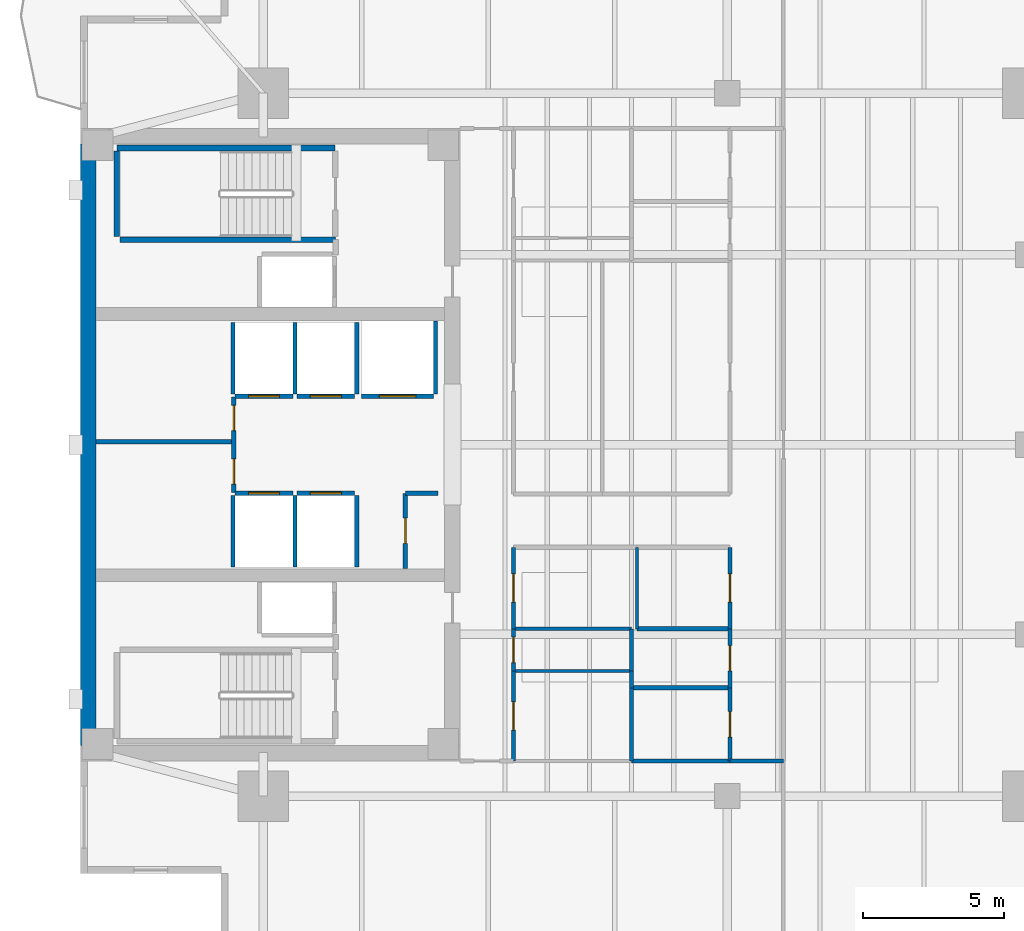
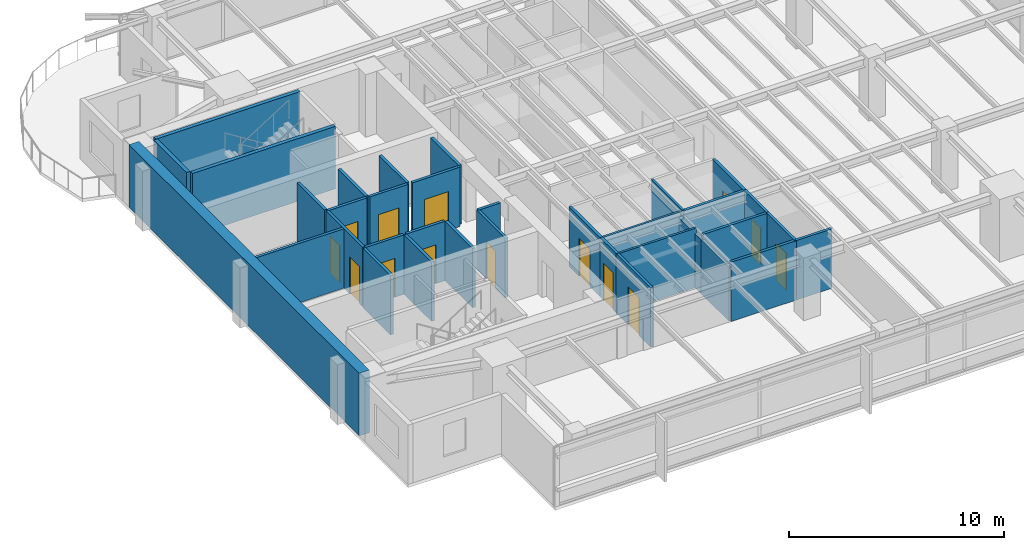
# One storey, part 8 of 14: 36 walls, 14 doors, 14 openings.
"""IFC4 building model written with IfcOpenShell, lengths in metres."""

from ifc_helpers import new_model, si_unit, direction, frame, frame_2d, origin, place, context, subcontext, project, spatial, rectangle, extrude, material, layer, layer_set, type_object, element, fill, save


model = new_model("IFC4")

# Units and contexts
model_context = context("Model", 3, precision=1e-05, world=origin(), true_north=direction((0.0, 1.0)))
body_context = subcontext(model_context, "Body", "Model", "MODEL_VIEW")
ifc_project = project(units=[si_unit("LENGTHUNIT", "METRE"), si_unit("AREAUNIT", "SQUARE_METRE"), si_unit("VOLUMEUNIT", "CUBIC_METRE"), si_unit("PLANEANGLEUNIT", "RADIAN"), si_unit("MASSUNIT", "GRAM", prefix="KILO")], contexts=[model_context])

# Site, building, storey
site_placement = place(None, origin())
site = spatial("IfcSite", under=ifc_project, at=site_placement, CompositionType="ELEMENT")
building_placement = place(site_placement, origin())
building = spatial("IfcBuilding", under=site, at=building_placement, Name="Kinhvarn Gate Tower", CompositionType="ELEMENT")
storey_placement = place(building_placement, frame((0.0, 0.0, 191.60009765625)))
storey = spatial("IfcBuildingStorey", under=building, at=storey_placement, Name="L50", CompositionType="ELEMENT", Elevation=191.60009765625)

# Walls
ifc_material_1 = material(Name="Concrete C60/75", Category="concrete")
ifc_layer_1 = layer(ifc_material_1, 0.550048828125)
ifc_layer_set_1 = layer_set([ifc_layer_1], Name="Concrete C60/75")
wall_type_1 = type_object("IfcWallType", Name="WL-COREX-550", PredefinedType="SHEAR", material=ifc_layer_set_1)
wall_1_placement = place(storey_placement, frame((4.77490234375, 14.550048828125, 0.0), z_axis=(0.0, 0.0, 1.0), x_axis=(0.0, 1.0, 0.0)))
element("IfcWall", 1, at=wall_1_placement, inside=storey, type_object=wall_type_1, Name="Core West Shear Wall L50 550 mm", PredefinedType="SHEAR", context=body_context, shape_type="SweptSolid", body=[
    extrude(rectangle(XDim=21.39990234375, YDim=0.550048828125, at=frame_2d((10.699951171875, 0.0))), origin(), (0.0, 0.0, 1.0), 3.5498046875),
])
ifc_material_2 = material(Name="Gypsum acoustic partition board")
ifc_layer_2 = layer(ifc_material_2, 0.14990234375)
ifc_layer_set_2 = layer_set([ifc_layer_2], Name="Gypsum acoustic partition board")
wall_type_2 = type_object("IfcWallType", Name="WL-PLM-150", PredefinedType="PLUMBINGWALL", material=ifc_layer_set_2)
wall_2_placement = place(storey_placement, frame((24.10009765625, 16.60009765625, 0.0), z_axis=(0.0, 0.0, 1.0), x_axis=(1.0, 0.0, 0.0)))
element("IfcWall", 2, at=wall_2_placement, inside=storey, type_object=wall_type_2, Name="Interior Partition PLW-150 (L50)", PredefinedType="PLUMBINGWALL", context=body_context, shape_type="SweptSolid", body=[
    extrude(rectangle(XDim=3.5, YDim=0.14990234375, at=frame_2d((1.75, 0.0))), origin(), (0.0, 0.0, 1.0), 3.369873046875),
])
wall_3_placement = place(storey_placement, frame((24.10009765625, 14.0, 0.0), z_axis=(0.0, 0.0, 1.0), x_axis=(0.0, 1.0, 0.0)))
element("IfcWall", 3, at=wall_3_placement, inside=storey, type_object=wall_type_2, Name="Interior Partition PLW-150 (L50)", PredefinedType="PLUMBINGWALL", context=body_context, shape_type="SweptSolid", body=[
    extrude(rectangle(XDim=2.60009765625, YDim=0.14990234375, at=frame_2d((1.300048828125, 0.0))), origin(), (0.0, 0.0, 1.0), 3.06982421875),
])
wall_4_placement = place(storey_placement, frame((24.10009765625, 14.0, 0.0), z_axis=(0.0, 0.0, 1.0), x_axis=(1.0, 0.0, 0.0)))
element("IfcWall", 4, at=wall_4_placement, inside=storey, type_object=wall_type_2, Name="Interior Partition PLW-150 (L50)", PredefinedType="PLUMBINGWALL", context=body_context, shape_type="SweptSolid", body=[
    extrude(rectangle(XDim=3.5, YDim=0.14990234375, at=frame_2d((1.75, 0.0))), origin(), (0.0, 0.0, 1.0), 3.369873046875),
])
wall_5_placement = place(storey_placement, frame((24.10009765625, 16.60009765625, 0.0), z_axis=(0.0, 0.0, 1.0), x_axis=(0.0, 1.0, 0.0)))
element("IfcWall", 5, at=wall_5_placement, inside=storey, type_object=wall_type_2, Name="Interior Partition PLW-150 (L50)", PredefinedType="PLUMBINGWALL", context=body_context, shape_type="SweptSolid", body=[
    extrude(rectangle(XDim=0.599853515625, YDim=0.14990234375, at=frame_2d((0.2998046875, 0.0))), origin(), (0.0, 0.0, 1.0), 3.06982421875),
])
wall_6_placement = place(storey_placement, frame((24.10009765625, 17.199951171875, 0.0), z_axis=(0.0, 0.0, 1.0), x_axis=(0.0, 1.0, 0.0)))
element("IfcWall", 6, at=wall_6_placement, inside=storey, type_object=wall_type_2, Name="Interior Partition PLW-150 (L50)", PredefinedType="PLUMBINGWALL", context=body_context, shape_type="SweptSolid", body=[
    extrude(rectangle(XDim=1.5, YDim=0.14990234375, at=frame_2d((0.75, 0.0))), origin(), (0.0, 0.0, 1.0), 3.06982421875),
])
wall_7_placement = place(storey_placement, frame((24.2900390625, 18.699951171875, 0.0), z_axis=(0.0, 0.0, 1.0), x_axis=(1.0, 0.0, 0.0)))
element("IfcWall", 7, at=wall_7_placement, inside=storey, type_object=wall_type_2, Name="Interior Partition PLW-150 (L50)", PredefinedType="PLUMBINGWALL", context=body_context, shape_type="SweptSolid", body=[
    extrude(rectangle(XDim=3.31005859375, YDim=0.14990234375, at=frame_2d((1.655029296875, 0.0))), origin(), (0.0, 0.0, 1.0), 3.369873046875),
])

# Wall, opening, door
ifc_layer_3 = layer(ifc_material_2, 0.14990234375)
ifc_layer_set_3 = layer_set([ifc_layer_3], Name="Gypsum acoustic partition board")
wall_type_3 = type_object("IfcWallType", Name="WL-PLM-150F", PredefinedType="PLUMBINGWALL", material=ifc_layer_set_3)
wall_8_placement = place(storey_placement, frame((27.60009765625, 14.0, 0.0), z_axis=(0.0, 0.0, 1.0), x_axis=(0.0, 1.0, 0.0)))
wall_8 = element("IfcWall", 8, at=wall_8_placement, inside=storey, type_object=wall_type_3, Name="Interior Partition PLW-150F (L50)", PredefinedType="PLUMBINGWALL", context=body_context, shape_type="SweptSolid", body=[
    extrude(rectangle(XDim=2.60009765625, YDim=0.14990234375, at=frame_2d((1.300048828125, 0.0))), origin(), (0.0, 0.0, 1.0), 3.369873046875),
])
opening_1_placement = place(wall_8_placement, frame((0.85009765625, 0.0, 0.0)))
opening_1 = element("IfcOpeningElement", 9, at=opening_1_placement, cuts=wall_8, Name="Opening FD-04", PredefinedType="OPENING", context=body_context, shape_type="SweptSolid", body=[
    extrude(rectangle(XDim=0.89990234375, YDim=2.10009765625, at=frame_2d((0.449951171875, 1.050048828125))), frame((0.0, 0.0849609375, 0.0), z_axis=(0.0, -1.0, 0.0), x_axis=(1.0, 0.0, 0.0)), (0.0, 0.0, 1.0), 0.169921875),
])
ifc_material_3 = material(Name="Anodised aluminium AW-6063", Category="aluminium")
door_type_1 = type_object("IfcDoorType", Name="DR-FD-900", OperationType="NOTDEFINED", PredefinedType="DOOR", material=ifc_material_3)
door_1_placement = place(opening_1_placement, origin())
door_1 = element("IfcDoor", 10, at=door_1_placement, inside=storey, type_object=door_type_1, Name="Rated Riser & Service Closet Fire Door 900x2100 mm (L50)", OperationType="SINGLE_SWING_LEFT", OverallHeight=2.10009765625, OverallWidth=0.89990234375, PredefinedType="DOOR", context=body_context, shape_type="SweptSolid", body=[
    extrude(rectangle(XDim=0.89990234375, YDim=2.10009765625, at=frame_2d((0.449951171875, 1.050048828125))), frame((0.0, 0.02490234375, 0.0), z_axis=(0.0, -1.0, 0.0), x_axis=(1.0, 0.0, 0.0)), (0.0, 0.0, 1.0), 0.050048828125),
])
fill(opening_1, door_1)

wall_9_placement = place(storey_placement, frame((27.60009765625, 16.60009765625, 0.0), z_axis=(0.0, 0.0, 1.0), x_axis=(0.0, 1.0, 0.0)))
wall_9 = element("IfcWall", 11, at=wall_9_placement, inside=storey, type_object=wall_type_3, Name="Interior Partition PLW-150F (L50)", PredefinedType="PLUMBINGWALL", context=body_context, shape_type="SweptSolid", body=[
    extrude(rectangle(XDim=2.099853515625, YDim=0.14990234375, at=frame_2d((1.0498046875, 0.0))), origin(), (0.0, 0.0, 1.0), 3.369873046875),
])
opening_2_placement = place(wall_9_placement, frame((0.60009765625, 0.0, 0.0)))
opening_2 = element("IfcOpeningElement", 12, at=opening_2_placement, cuts=wall_9, Name="Opening FD-04", PredefinedType="OPENING", context=body_context, shape_type="SweptSolid", body=[
    extrude(rectangle(XDim=0.89990234375, YDim=2.10009765625, at=frame_2d((0.449951171875, 1.050048828125))), frame((0.0, 0.0849609375, 0.0), z_axis=(0.0, -1.0, 0.0), x_axis=(1.0, 0.0, 0.0)), (0.0, 0.0, 1.0), 0.169921875),
])
door_2_placement = place(opening_2_placement, origin())
door_2 = element("IfcDoor", 13, at=door_2_placement, inside=storey, type_object=door_type_1, Name="Rated Riser & Service Closet Fire Door 900x2100 mm (L50)", OperationType="SINGLE_SWING_LEFT", OverallHeight=2.10009765625, OverallWidth=0.89990234375, PredefinedType="DOOR", context=body_context, shape_type="SweptSolid", body=[
    extrude(rectangle(XDim=0.89990234375, YDim=2.10009765625, at=frame_2d((0.449951171875, 1.050048828125))), frame((0.0, 0.02490234375, 0.0), z_axis=(0.0, -1.0, 0.0), x_axis=(1.0, 0.0, 0.0)), (0.0, 0.0, 1.0), 0.050048828125),
])
fill(opening_2, door_2)

# Walls
ifc_layer_4 = layer(ifc_material_2, 0.1201171875)
ifc_layer_set_4 = layer_set([ifc_layer_4], Name="Gypsum acoustic partition board")
wall_type_4 = type_object("IfcWallType", Name="WL-PRT-120", PredefinedType="PARTITIONING", material=ifc_layer_set_4)
for number, where, z_axis, x_axis, name in (
    (14, (19.89990234375, 17.199951171875, 0.0), (0.0, 0.0, 1.0), (1.0, 0.0, 0.0), "Interior Partition PW-120 (L50)"),
    (15, (19.89990234375, 18.699951171875, 0.0), (0.0, 0.0, 1.0), (1.0, 0.0, 0.0), "Interior Partition PW-120 (L50)"),
):
    element("IfcWall", number, at=place(storey_placement, frame(where, z_axis=z_axis, x_axis=x_axis)), inside=storey, type_object=wall_type_4, Name=name, PredefinedType="PARTITIONING", context=body_context, shape_type="SweptSolid", body=[
        extrude(rectangle(XDim=4.2001953125, YDim=0.1201171875, at=frame_2d((2.10009765625, 0.0))), origin(), (0.0, 0.0, 1.0), 3.369873046875),
    ])
wall_10_placement = place(storey_placement, frame((24.2900390625, 18.699951171875, 0.0), z_axis=(0.0, 0.0, 1.0), x_axis=(0.0, 1.0, 0.0)))
element("IfcWall", 16, at=wall_10_placement, inside=storey, type_object=wall_type_4, Name="Interior Partition PW-120 (L50)", PredefinedType="PARTITIONING", context=body_context, shape_type="SweptSolid", body=[
    extrude(rectangle(XDim=2.900146484375, YDim=0.1201171875, at=frame_2d((1.4501953125, 0.0))), origin(), (0.0, 0.0, 1.0), 3.369873046875),
])
ifc_layer_5 = layer(ifc_material_2, 0.14990234375)
ifc_layer_set_5 = layer_set([ifc_layer_5], Name="Gypsum acoustic partition board")
wall_type_5 = type_object("IfcWallType", Name="WL-PRT-150F", PredefinedType="PARTITIONING", material=ifc_layer_set_5)
wall_11_placement = place(storey_placement, frame((5.050048828125, 25.35009765625, 0.0), z_axis=(0.0, 0.0, 1.0), x_axis=(1.0, 0.0, 0.0)))
element("IfcWall", 17, at=wall_11_placement, inside=storey, type_object=wall_type_5, Name="Interior Partition PW-150F (L50)", PredefinedType="PARTITIONING", context=body_context, shape_type="SweptSolid", body=[
    extrude(rectangle(XDim=4.89990234375, YDim=0.14990234375, at=frame_2d((2.449951171875, 0.0))), origin(), (0.0, 0.0, 1.0), 3.369873046875),
])

# Wall, openings, doors
wall_12_placement = place(storey_placement, frame((9.949951171875, 23.550048828125, 0.0), z_axis=(0.0, 0.0, 1.0), x_axis=(0.0, 1.0, 0.0)))
wall_12 = element("IfcWall", 18, at=wall_12_placement, inside=storey, type_object=wall_type_5, Name="Interior Partition PW-150F (L50)", PredefinedType="PARTITIONING", context=body_context, shape_type="SweptSolid", body=[
    extrude(rectangle(XDim=3.39990234375, YDim=0.14990234375, at=frame_2d((1.699951171875, 0.0))), origin(), (0.0, 0.0, 1.0), 3.369873046875),
])
opening_3_placement = place(wall_12_placement, frame((0.298095703125, 0.0, 0.0)))
opening_3 = element("IfcOpeningElement", 19, at=opening_3_placement, cuts=wall_12, Name="Opening FD-04", PredefinedType="OPENING", context=body_context, shape_type="SweptSolid", body=[
    extrude(rectangle(XDim=0.89990234375, YDim=2.10009765625, at=frame_2d((0.449951171875, 1.050048828125))), frame((0.0, 0.0849609375, 0.0), z_axis=(0.0, -1.0, 0.0), x_axis=(1.0, 0.0, 0.0)), (0.0, 0.0, 1.0), 0.169921875),
])
opening_4_placement = place(wall_12_placement, frame((2.201904296875, 0.0, 0.0)))
opening_4 = element("IfcOpeningElement", 20, at=opening_4_placement, cuts=wall_12, Name="Opening FD-04", PredefinedType="OPENING", context=body_context, shape_type="SweptSolid", body=[
    extrude(rectangle(XDim=0.89990234375, YDim=2.10009765625, at=frame_2d((0.449951171875, 1.050048828125))), frame((0.0, 0.0849609375, 0.0), z_axis=(0.0, -1.0, 0.0), x_axis=(1.0, 0.0, 0.0)), (0.0, 0.0, 1.0), 0.169921875),
])
door_3_placement = place(opening_3_placement, origin())
door_3 = element("IfcDoor", 21, at=door_3_placement, inside=storey, type_object=door_type_1, Name="Rated Riser & Service Closet Fire Door 900x2100 mm (L50)", OperationType="SINGLE_SWING_LEFT", OverallHeight=2.10009765625, OverallWidth=0.89990234375, PredefinedType="DOOR", context=body_context, shape_type="SweptSolid", body=[
    extrude(rectangle(XDim=0.89990234375, YDim=2.10009765625, at=frame_2d((0.449951171875, 1.050048828125))), frame((0.0, 0.02490234375, 0.0), z_axis=(0.0, -1.0, 0.0), x_axis=(1.0, 0.0, 0.0)), (0.0, 0.0, 1.0), 0.050048828125),
])
fill(opening_3, door_3)
door_4_placement = place(opening_4_placement, origin())
door_4 = element("IfcDoor", 22, at=door_4_placement, inside=storey, type_object=door_type_1, Name="Rated Riser & Service Closet Fire Door 900x2100 mm (L50)", OperationType="SINGLE_SWING_RIGHT", OverallHeight=2.10009765625, OverallWidth=0.89990234375, PredefinedType="DOOR", context=body_context, shape_type="SweptSolid", body=[
    extrude(rectangle(XDim=0.89990234375, YDim=2.10009765625, at=frame_2d((0.449951171875, 1.050048828125))), frame((0.0, 0.02490234375, 0.0), z_axis=(0.0, -1.0, 0.0), x_axis=(1.0, 0.0, 0.0)), (0.0, 0.0, 1.0), 0.050048828125),
])
fill(opening_4, door_4)

# Wall, opening, door
wall_13_placement = place(storey_placement, frame((16.050048828125, 20.85009765625, 0.0), z_axis=(0.0, 0.0, 1.0), x_axis=(0.0, 1.0, 0.0)))
wall_13 = element("IfcWall", 23, at=wall_13_placement, inside=storey, type_object=wall_type_5, Name="Interior Partition PW-150F (L50)", PredefinedType="PARTITIONING", context=body_context, shape_type="SweptSolid", body=[
    extrude(rectangle(XDim=2.669921875, YDim=0.14990234375, at=frame_2d((1.3349609375, 0.0))), origin(), (0.0, 0.0, 1.0), 3.369873046875),
])
opening_5_placement = place(wall_13_placement, frame((0.885009765625, 0.0, 0.0)))
opening_5 = element("IfcOpeningElement", 24, at=opening_5_placement, cuts=wall_13, Name="Opening FD-04", PredefinedType="OPENING", context=body_context, shape_type="SweptSolid", body=[
    extrude(rectangle(XDim=0.89990234375, YDim=2.10009765625, at=frame_2d((0.449951171875, 1.050048828125))), frame((0.0, 0.0849609375, 0.0), z_axis=(0.0, -1.0, 0.0), x_axis=(1.0, 0.0, 0.0)), (0.0, 0.0, 1.0), 0.169921875),
])
door_5_placement = place(opening_5_placement, origin())
door_5 = element("IfcDoor", 25, at=door_5_placement, inside=storey, type_object=door_type_1, Name="Rated Riser & Service Closet Fire Door 900x2100 mm (L50)", OperationType="SINGLE_SWING_LEFT", OverallHeight=2.10009765625, OverallWidth=0.89990234375, PredefinedType="DOOR", context=body_context, shape_type="SweptSolid", body=[
    extrude(rectangle(XDim=0.89990234375, YDim=2.10009765625, at=frame_2d((0.449951171875, 1.050048828125))), frame((0.0, 0.02490234375, 0.0), z_axis=(0.0, -1.0, 0.0), x_axis=(1.0, 0.0, 0.0)), (0.0, 0.0, 1.0), 0.050048828125),
])
fill(opening_5, door_5)

# Wall
wall_14_placement = place(storey_placement, frame((16.050048828125, 23.52001953125, 0.0), z_axis=(0.0, 0.0, 1.0), x_axis=(1.0, 0.0, 0.0)))
element("IfcWall", 26, at=wall_14_placement, inside=storey, type_object=wall_type_5, Name="Interior Partition PW-150F (L50)", PredefinedType="PARTITIONING", context=body_context, shape_type="SweptSolid", body=[
    extrude(rectangle(XDim=1.169921875, YDim=0.14990234375, at=frame_2d((0.5849609375, 0.0))), origin(), (0.0, 0.0, 1.0), 3.369873046875),
])

# Wall, opening, door
wall_15_placement = place(storey_placement, frame((19.89990234375, 14.0, 0.0), z_axis=(0.0, 0.0, 1.0), x_axis=(0.0, 1.0, 0.0)))
wall_15 = element("IfcWall", 27, at=wall_15_placement, inside=storey, type_object=wall_type_5, Name="Interior Partition PW-150F (L50)", PredefinedType="PARTITIONING", context=body_context, shape_type="SweptSolid", body=[
    extrude(rectangle(XDim=3.199951171875, YDim=0.14990234375, at=frame_2d((1.60009765625, 0.0))), origin(), (0.0, 0.0, 1.0), 3.369873046875),
])
opening_6_placement = place(wall_15_placement, frame((1.10009765625, 0.0, 0.0)))
opening_6 = element("IfcOpeningElement", 28, at=opening_6_placement, cuts=wall_15, Name="Opening ID-02", PredefinedType="OPENING", context=body_context, shape_type="SweptSolid", body=[
    extrude(rectangle(XDim=1.0, YDim=2.14990234375, at=frame_2d((0.5, 1.074951171875))), frame((0.0, 0.0849609375, 0.0), z_axis=(0.0, -1.0, 0.0), x_axis=(1.0, 0.0, 0.0)), (0.0, 0.0, 1.0), 0.169921875),
])
door_type_2 = type_object("IfcDoorType", Name="DR-INT-1000", OperationType="NOTDEFINED", PredefinedType="DOOR", material=ifc_material_3)
door_6_placement = place(opening_6_placement, origin())
door_6 = element("IfcDoor", 29, at=door_6_placement, inside=storey, type_object=door_type_2, Name="Standard Office & Meeting Room Door 1000x2150 mm (L50)", OperationType="SINGLE_SWING_RIGHT", OverallHeight=2.14990234375, OverallWidth=1.0, PredefinedType="DOOR", context=body_context, shape_type="SweptSolid", body=[
    extrude(rectangle(XDim=1.0, YDim=2.14990234375, at=frame_2d((0.5, 1.074951171875))), frame((0.0, 0.02490234375, 0.0), z_axis=(0.0, -1.0, 0.0), x_axis=(1.0, 0.0, 0.0)), (0.0, 0.0, 1.0), 0.050048828125),
])
fill(opening_6, door_6)

wall_16_placement = place(storey_placement, frame((19.89990234375, 17.199951171875, 0.0), z_axis=(0.0, 0.0, 1.0), x_axis=(0.0, 1.0, 0.0)))
wall_16 = element("IfcWall", 30, at=wall_16_placement, inside=storey, type_object=wall_type_5, Name="Interior Partition PW-150F (L50)", PredefinedType="PARTITIONING", context=body_context, shape_type="SweptSolid", body=[
    extrude(rectangle(XDim=1.5, YDim=0.14990234375, at=frame_2d((0.75, 0.0))), origin(), (0.0, 0.0, 1.0), 3.369873046875),
])
opening_7_placement = place(wall_16_placement, frame((0.300048828125, 0.0, 0.0)))
opening_7 = element("IfcOpeningElement", 31, at=opening_7_placement, cuts=wall_16, Name="Opening ID-03", PredefinedType="OPENING", context=body_context, shape_type="SweptSolid", body=[
    extrude(rectangle(XDim=0.89990234375, YDim=2.10009765625, at=frame_2d((0.449951171875, 1.050048828125))), frame((0.0, 0.0849609375, 0.0), z_axis=(0.0, -1.0, 0.0), x_axis=(1.0, 0.0, 0.0)), (0.0, 0.0, 1.0), 0.169921875),
])
door_type_3 = type_object("IfcDoorType", Name="DR-INT-900", OperationType="NOTDEFINED", PredefinedType="DOOR", material=ifc_material_3)
door_7_placement = place(opening_7_placement, origin())
door_7 = element("IfcDoor", 32, at=door_7_placement, inside=storey, type_object=door_type_3, Name="Cellular Office & Restroom Door 900x2100 mm (L50)", OperationType="SINGLE_SWING_LEFT", OverallHeight=2.10009765625, OverallWidth=0.89990234375, PredefinedType="DOOR", context=body_context, shape_type="SweptSolid", body=[
    extrude(rectangle(XDim=0.89990234375, YDim=2.10009765625, at=frame_2d((0.449951171875, 1.050048828125))), frame((0.0, 0.02490234375, 0.0), z_axis=(0.0, -1.0, 0.0), x_axis=(1.0, 0.0, 0.0)), (0.0, 0.0, 1.0), 0.050048828125),
])
fill(opening_7, door_7)

wall_17_placement = place(storey_placement, frame((19.89990234375, 18.699951171875, 0.0), z_axis=(0.0, 0.0, 1.0), x_axis=(0.0, 1.0, 0.0)))
wall_17 = element("IfcWall", 33, at=wall_17_placement, inside=storey, type_object=wall_type_5, Name="Interior Partition PW-150F (L50)", PredefinedType="PARTITIONING", context=body_context, shape_type="SweptSolid", body=[
    extrude(rectangle(XDim=2.900146484375, YDim=0.14990234375, at=frame_2d((1.4501953125, 0.0))), origin(), (0.0, 0.0, 1.0), 3.369873046875),
])
opening_8_placement = place(wall_17_placement, frame((0.949951171875, 0.0, 0.0)))
opening_8 = element("IfcOpeningElement", 34, at=opening_8_placement, cuts=wall_17, Name="Opening ID-02", PredefinedType="OPENING", context=body_context, shape_type="SweptSolid", body=[
    extrude(rectangle(XDim=1.0, YDim=2.14990234375, at=frame_2d((0.5, 1.074951171875))), frame((0.0, 0.0849609375, 0.0), z_axis=(0.0, -1.0, 0.0), x_axis=(1.0, 0.0, 0.0)), (0.0, 0.0, 1.0), 0.169921875),
])
door_8_placement = place(opening_8_placement, origin())
door_8 = element("IfcDoor", 35, at=door_8_placement, inside=storey, type_object=door_type_2, Name="Standard Office & Meeting Room Door 1000x2150 mm (L50)", OperationType="SINGLE_SWING_LEFT", OverallHeight=2.14990234375, OverallWidth=1.0, PredefinedType="DOOR", context=body_context, shape_type="SweptSolid", body=[
    extrude(rectangle(XDim=1.0, YDim=2.14990234375, at=frame_2d((0.5, 1.074951171875))), frame((0.0, 0.02490234375, 0.0), z_axis=(0.0, -1.0, 0.0), x_axis=(1.0, 0.0, 0.0)), (0.0, 0.0, 1.0), 0.050048828125),
])
fill(opening_8, door_8)

wall_18_placement = place(storey_placement, frame((27.60009765625, 18.699951171875, 0.0), z_axis=(0.0, 0.0, 1.0), x_axis=(0.0, 1.0, 0.0)))
wall_18 = element("IfcWall", 36, at=wall_18_placement, inside=storey, type_object=wall_type_5, Name="Interior Partition PW-150F (L50)", PredefinedType="PARTITIONING", context=body_context, shape_type="SweptSolid", body=[
    extrude(rectangle(XDim=2.900146484375, YDim=0.14990234375, at=frame_2d((1.4501953125, 0.0))), origin(), (0.0, 0.0, 1.0), 3.369873046875),
])
opening_9_placement = place(wall_18_placement, frame((0.949951171875, 0.0, 0.0)))
opening_9 = element("IfcOpeningElement", 37, at=opening_9_placement, cuts=wall_18, Name="Opening ID-02", PredefinedType="OPENING", context=body_context, shape_type="SweptSolid", body=[
    extrude(rectangle(XDim=1.0, YDim=2.14990234375, at=frame_2d((0.5, 1.074951171875))), frame((0.0, 0.0849609375, 0.0), z_axis=(0.0, -1.0, 0.0), x_axis=(1.0, 0.0, 0.0)), (0.0, 0.0, 1.0), 0.169921875),
])
door_9_placement = place(opening_9_placement, origin())
door_9 = element("IfcDoor", 38, at=door_9_placement, inside=storey, type_object=door_type_2, Name="Standard Office & Meeting Room Door 1000x2150 mm (L50)", OperationType="SINGLE_SWING_LEFT", OverallHeight=2.14990234375, OverallWidth=1.0, PredefinedType="DOOR", context=body_context, shape_type="SweptSolid", body=[
    extrude(rectangle(XDim=1.0, YDim=2.14990234375, at=frame_2d((0.5, 1.074951171875))), frame((0.0, 0.02490234375, 0.0), z_axis=(0.0, -1.0, 0.0), x_axis=(1.0, 0.0, 0.0)), (0.0, 0.0, 1.0), 0.050048828125),
])
fill(opening_9, door_9)

# Wall
wall_19_placement = place(storey_placement, frame((27.60009765625, 14.0, 0.0), z_axis=(0.0, 0.0, 1.0), x_axis=(1.0, 0.0, 0.0)))
element("IfcWall", 39, at=wall_19_placement, inside=storey, type_object=wall_type_5, Name="Interior Partition PW-150F (L50)", PredefinedType="PARTITIONING", context=body_context, shape_type="SweptSolid", body=[
    extrude(rectangle(XDim=1.89990234375, YDim=0.14990234375, at=frame_2d((0.949951171875, 0.0))), origin(), (0.0, 0.0, 1.0), 3.369873046875),
])

# Wall, opening, door
ifc_layer_6 = layer(ifc_material_2, 0.14990234375)
ifc_layer_set_6 = layer_set([ifc_layer_6], Name="Gypsum acoustic partition board")
wall_type_6 = type_object("IfcWallType", Name="WL-SHF-150", PredefinedType="PARTITIONING", material=ifc_layer_set_6)
wall_20_placement = place(storey_placement, frame((10.0, 23.52490234375, 0.0), z_axis=(0.0, 0.0, 1.0), x_axis=(1.0, 0.0, 0.0)))
wall_20 = element("IfcWall", 40, at=wall_20_placement, inside=storey, type_object=wall_type_6, Name="Elevator PH-09 Landing Wall (L50)", PredefinedType="PARTITIONING", context=body_context, shape_type="SweptSolid", body=[
    extrude(rectangle(XDim=2.050048828125, YDim=0.14990234375, at=frame_2d((1.02490234375, 0.0))), origin(), (0.0, 0.0, 1.0), 3.369873046875),
])
opening_10_placement = place(wall_20_placement, frame((0.47509765625, 0.0, 0.0)))
opening_10 = element("IfcOpeningElement", 41, at=opening_10_placement, cuts=wall_20, Name="Opening LD-01", PredefinedType="OPENING", context=body_context, shape_type="SweptSolid", body=[
    extrude(rectangle(XDim=1.10009765625, YDim=2.199951171875, at=frame_2d((0.550048828125, 1.10009765625))), frame((0.0, 0.0849609375, 0.0), z_axis=(0.0, -1.0, 0.0), x_axis=(1.0, 0.0, 0.0)), (0.0, 0.0, 1.0), 0.169921875),
])
door_type_4 = type_object("IfcDoorType", Name="DR-LND-PAS", OperationType="NOTDEFINED", PredefinedType="DOOR", material=ifc_material_3)
door_10_placement = place(opening_10_placement, origin())
door_10 = element("IfcDoor", 42, at=door_10_placement, inside=storey, type_object=door_type_4, Name="Elevator PH-09 Sliding Landing Door (L50)", OperationType="DOUBLE_DOOR_SLIDING", OverallHeight=2.199951171875, OverallWidth=1.10009765625, PredefinedType="DOOR", context=body_context, shape_type="SweptSolid", body=[
    extrude(rectangle(XDim=1.10009765625, YDim=2.199951171875, at=frame_2d((0.550048828125, 1.10009765625))), frame((0.0, 0.02490234375, 0.0), z_axis=(0.0, -1.0, 0.0), x_axis=(1.0, 0.0, 0.0)), (0.0, 0.0, 1.0), 0.050048828125),
])
fill(opening_10, door_10)

# Walls
for number, where, z_axis, x_axis, name in (
    (43, (9.925048828125, 20.89990234375, 0.0), (0.0, 0.0, 1.0), (0.0, 1.0, 0.0), "Elevator PH-09 Hoistway Wall W (L50)"),
    (44, (12.125, 20.89990234375, 0.0), (0.0, 0.0, 1.0), (0.0, 1.0, 0.0), "Elevator PH-09 Hoistway Wall E (L50)"),
):
    element("IfcWall", number, at=place(storey_placement, frame(where, z_axis=z_axis, x_axis=x_axis)), inside=storey, type_object=wall_type_6, Name=name, PredefinedType="PARTITIONING", context=body_context, shape_type="SweptSolid", body=[
        extrude(rectangle(XDim=2.550048828125, YDim=0.14990234375, at=frame_2d((1.27490234375, 0.0))), origin(), (0.0, 0.0, 1.0), 3.369873046875),
    ])

# Wall, opening, door
wall_21_placement = place(storey_placement, frame((12.199951171875, 23.52490234375, 0.0), z_axis=(0.0, 0.0, 1.0), x_axis=(1.0, 0.0, 0.0)))
wall_21 = element("IfcWall", 45, at=wall_21_placement, inside=storey, type_object=wall_type_6, Name="Elevator PH-10 Landing Wall (L50)", PredefinedType="PARTITIONING", context=body_context, shape_type="SweptSolid", body=[
    extrude(rectangle(XDim=2.050048828125, YDim=0.14990234375, at=frame_2d((1.02490234375, 0.0))), origin(), (0.0, 0.0, 1.0), 3.369873046875),
])
opening_11_placement = place(wall_21_placement, frame((0.47509765625, 0.0, 0.0)))
opening_11 = element("IfcOpeningElement", 46, at=opening_11_placement, cuts=wall_21, Name="Opening LD-01", PredefinedType="OPENING", context=body_context, shape_type="SweptSolid", body=[
    extrude(rectangle(XDim=1.10009765625, YDim=2.199951171875, at=frame_2d((0.550048828125, 1.10009765625))), frame((0.0, 0.0849609375, 0.0), z_axis=(0.0, -1.0, 0.0), x_axis=(1.0, 0.0, 0.0)), (0.0, 0.0, 1.0), 0.169921875),
])
door_11_placement = place(opening_11_placement, origin())
door_11 = element("IfcDoor", 47, at=door_11_placement, inside=storey, type_object=door_type_4, Name="Elevator PH-10 Sliding Landing Door (L50)", OperationType="DOUBLE_DOOR_SLIDING", OverallHeight=2.199951171875, OverallWidth=1.10009765625, PredefinedType="DOOR", context=body_context, shape_type="SweptSolid", body=[
    extrude(rectangle(XDim=1.10009765625, YDim=2.199951171875, at=frame_2d((0.550048828125, 1.10009765625))), frame((0.0, 0.02490234375, 0.0), z_axis=(0.0, -1.0, 0.0), x_axis=(1.0, 0.0, 0.0)), (0.0, 0.0, 1.0), 0.050048828125),
])
fill(opening_11, door_11)

# Wall
wall_22_placement = place(storey_placement, frame((14.324951171875, 20.89990234375, 0.0), z_axis=(0.0, 0.0, 1.0), x_axis=(0.0, 1.0, 0.0)))
element("IfcWall", 48, at=wall_22_placement, inside=storey, type_object=wall_type_6, Name="Elevator PH-10 Hoistway Wall E (L50)", PredefinedType="PARTITIONING", context=body_context, shape_type="SweptSolid", body=[
    extrude(rectangle(XDim=2.550048828125, YDim=0.14990234375, at=frame_2d((1.27490234375, 0.0))), origin(), (0.0, 0.0, 1.0), 3.369873046875),
])

# Wall, opening, door
wall_23_placement = place(storey_placement, frame((10.0, 26.97509765625, 0.0), z_axis=(0.0, 0.0, 1.0), x_axis=(1.0, 0.0, 0.0)))
wall_23 = element("IfcWall", 49, at=wall_23_placement, inside=storey, type_object=wall_type_6, Name="Elevator PH-11 Landing Wall (L50)", PredefinedType="PARTITIONING", context=body_context, shape_type="SweptSolid", body=[
    extrude(rectangle(XDim=2.050048828125, YDim=0.14990234375, at=frame_2d((1.02490234375, 0.0))), origin(), (0.0, 0.0, 1.0), 3.369873046875),
])
opening_12_placement = place(wall_23_placement, frame((0.47509765625, 0.0, 0.0)))
opening_12 = element("IfcOpeningElement", 50, at=opening_12_placement, cuts=wall_23, Name="Opening LD-01", PredefinedType="OPENING", context=body_context, shape_type="SweptSolid", body=[
    extrude(rectangle(XDim=1.10009765625, YDim=2.199951171875, at=frame_2d((0.550048828125, 1.10009765625))), frame((0.0, 0.0849609375, 0.0), z_axis=(0.0, -1.0, 0.0), x_axis=(1.0, 0.0, 0.0)), (0.0, 0.0, 1.0), 0.169921875),
])
door_12_placement = place(opening_12_placement, origin())
door_12 = element("IfcDoor", 51, at=door_12_placement, inside=storey, type_object=door_type_4, Name="Elevator PH-11 Sliding Landing Door (L50)", OperationType="DOUBLE_DOOR_SLIDING", OverallHeight=2.199951171875, OverallWidth=1.10009765625, PredefinedType="DOOR", context=body_context, shape_type="SweptSolid", body=[
    extrude(rectangle(XDim=1.10009765625, YDim=2.199951171875, at=frame_2d((0.550048828125, 1.10009765625))), frame((0.0, 0.02490234375, 0.0), z_axis=(0.0, -1.0, 0.0), x_axis=(1.0, 0.0, 0.0)), (0.0, 0.0, 1.0), 0.050048828125),
])
fill(opening_12, door_12)

# Walls
for number, where, z_axis, x_axis, name in (
    (52, (9.925048828125, 27.050048828125, 0.0), (0.0, 0.0, 1.0), (0.0, 1.0, 0.0), "Elevator PH-11 Hoistway Wall W (L50)"),
    (53, (12.125, 27.050048828125, 0.0), (0.0, 0.0, 1.0), (0.0, 1.0, 0.0), "Elevator PH-11 Hoistway Wall E (L50)"),
):
    element("IfcWall", number, at=place(storey_placement, frame(where, z_axis=z_axis, x_axis=x_axis)), inside=storey, type_object=wall_type_6, Name=name, PredefinedType="PARTITIONING", context=body_context, shape_type="SweptSolid", body=[
        extrude(rectangle(XDim=2.550048828125, YDim=0.14990234375, at=frame_2d((1.27490234375, 0.0))), origin(), (0.0, 0.0, 1.0), 3.369873046875),
    ])

# Wall, opening, door
wall_24_placement = place(storey_placement, frame((12.199951171875, 26.97509765625, 0.0), z_axis=(0.0, 0.0, 1.0), x_axis=(1.0, 0.0, 0.0)))
wall_24 = element("IfcWall", 54, at=wall_24_placement, inside=storey, type_object=wall_type_6, Name="Elevator PH-12 Landing Wall (L50)", PredefinedType="PARTITIONING", context=body_context, shape_type="SweptSolid", body=[
    extrude(rectangle(XDim=2.050048828125, YDim=0.14990234375, at=frame_2d((1.02490234375, 0.0))), origin(), (0.0, 0.0, 1.0), 3.369873046875),
])
opening_13_placement = place(wall_24_placement, frame((0.47509765625, 0.0, 0.0)))
opening_13 = element("IfcOpeningElement", 55, at=opening_13_placement, cuts=wall_24, Name="Opening LD-01", PredefinedType="OPENING", context=body_context, shape_type="SweptSolid", body=[
    extrude(rectangle(XDim=1.10009765625, YDim=2.199951171875, at=frame_2d((0.550048828125, 1.10009765625))), frame((0.0, 0.0849609375, 0.0), z_axis=(0.0, -1.0, 0.0), x_axis=(1.0, 0.0, 0.0)), (0.0, 0.0, 1.0), 0.169921875),
])
door_13_placement = place(opening_13_placement, origin())
door_13 = element("IfcDoor", 56, at=door_13_placement, inside=storey, type_object=door_type_4, Name="Elevator PH-12 Sliding Landing Door (L50)", OperationType="DOUBLE_DOOR_SLIDING", OverallHeight=2.199951171875, OverallWidth=1.10009765625, PredefinedType="DOOR", context=body_context, shape_type="SweptSolid", body=[
    extrude(rectangle(XDim=1.10009765625, YDim=2.199951171875, at=frame_2d((0.550048828125, 1.10009765625))), frame((0.0, 0.02490234375, 0.0), z_axis=(0.0, -1.0, 0.0), x_axis=(1.0, 0.0, 0.0)), (0.0, 0.0, 1.0), 0.050048828125),
])
fill(opening_13, door_13)

# Wall
wall_25_placement = place(storey_placement, frame((14.324951171875, 27.050048828125, 0.0), z_axis=(0.0, 0.0, 1.0), x_axis=(0.0, 1.0, 0.0)))
element("IfcWall", 57, at=wall_25_placement, inside=storey, type_object=wall_type_6, Name="Elevator PH-12 Hoistway Wall E (L50)", PredefinedType="PARTITIONING", context=body_context, shape_type="SweptSolid", body=[
    extrude(rectangle(XDim=2.550048828125, YDim=0.14990234375, at=frame_2d((1.27490234375, 0.0))), origin(), (0.0, 0.0, 1.0), 3.369873046875),
])

# Wall, opening, door
wall_26_placement = place(storey_placement, frame((14.5, 26.97509765625, 0.0), z_axis=(0.0, 0.0, 1.0), x_axis=(1.0, 0.0, 0.0)))
wall_26 = element("IfcWall", 58, at=wall_26_placement, inside=storey, type_object=wall_type_6, Name="Elevator SV-01 Landing Wall (L50)", PredefinedType="PARTITIONING", context=body_context, shape_type="SweptSolid", body=[
    extrude(rectangle(XDim=2.550048828125, YDim=0.14990234375, at=frame_2d((1.27490234375, 0.0))), origin(), (0.0, 0.0, 1.0), 3.369873046875),
])
opening_14_placement = place(wall_26_placement, frame((0.625, 0.0, 0.0)))
opening_14 = element("IfcOpeningElement", 59, at=opening_14_placement, cuts=wall_26, Name="Opening LD-02", PredefinedType="OPENING", context=body_context, shape_type="SweptSolid", body=[
    extrude(rectangle(XDim=1.300048828125, YDim=2.199951171875, at=frame_2d((0.64990234375, 1.10009765625))), frame((0.0, 0.0849609375, 0.0), z_axis=(0.0, -1.0, 0.0), x_axis=(1.0, 0.0, 0.0)), (0.0, 0.0, 1.0), 0.169921875),
])
door_type_5 = type_object("IfcDoorType", Name="DR-LND-SRV", OperationType="NOTDEFINED", PredefinedType="DOOR", material=ifc_material_3)
door_14_placement = place(opening_14_placement, origin())
door_14 = element("IfcDoor", 60, at=door_14_placement, inside=storey, type_object=door_type_5, Name="Elevator SV-01 Sliding Landing Door (L50)", OperationType="DOUBLE_DOOR_SLIDING", OverallHeight=2.199951171875, OverallWidth=1.300048828125, PredefinedType="DOOR", context=body_context, shape_type="SweptSolid", body=[
    extrude(rectangle(XDim=1.300048828125, YDim=2.199951171875, at=frame_2d((0.64990234375, 1.10009765625))), frame((0.0, 0.02490234375, 0.0), z_axis=(0.0, -1.0, 0.0), x_axis=(1.0, 0.0, 0.0)), (0.0, 0.0, 1.0), 0.050048828125),
])
fill(opening_14, door_14)

# Walls
wall_27_placement = place(storey_placement, frame((17.125, 27.050048828125, 0.0), z_axis=(0.0, 0.0, 1.0), x_axis=(0.0, 1.0, 0.0)))
element("IfcWall", 61, at=wall_27_placement, inside=storey, type_object=wall_type_6, Name="Elevator SV-01 Hoistway Wall E (L50)", PredefinedType="PARTITIONING", context=body_context, shape_type="SweptSolid", body=[
    extrude(rectangle(XDim=2.599853515625, YDim=0.14990234375, at=frame_2d((1.2998046875, 0.0))), origin(), (0.0, 0.0, 1.0), 3.369873046875),
])
ifc_material_4 = material(Name="Concrete C40/50", Category="concrete")
ifc_layer_7 = layer(ifc_material_4, 0.199951171875)
ifc_layer_set_7 = layer_set([ifc_layer_7], Name="Concrete C40/50")
wall_type_7 = type_object("IfcWallType", Name="WL-SHF-200", PredefinedType="SOLIDWALL", material=ifc_layer_set_7)
wall_28_placement = place(storey_placement, frame((5.800048828125, 35.800048828125, 0.0), z_axis=(0.0, 0.0, 1.0), x_axis=(1.0, 0.0, 0.0)))
element("IfcWall", 62, at=wall_28_placement, inside=storey, type_object=wall_type_7, Name="Stair ST2 North Shaft Wall (L50)", PredefinedType="SOLIDWALL", context=body_context, shape_type="SweptSolid", body=[
    extrude(rectangle(XDim=7.75, YDim=0.199951171875, at=frame_2d((3.875, 0.0))), origin(), (0.0, 0.0, 1.0), 3.5498046875),
])
wall_29_placement = place(storey_placement, frame((5.7900390625, 32.64990234375, 0.0), z_axis=(0.0, 0.0, 1.0), x_axis=(0.0, 1.0, 0.0)))
element("IfcWall", 63, at=wall_29_placement, inside=storey, type_object=wall_type_7, Name="Stair ST2 West Shaft Wall (L50)", PredefinedType="SOLIDWALL", context=body_context, shape_type="SweptSolid", body=[
    extrude(rectangle(XDim=3.050048828125, YDim=0.199951171875, at=frame_2d((1.52490234375, 0.0))), origin(), (0.0, 0.0, 1.0), 3.5498046875),
])
wall_30_placement = place(storey_placement, frame((5.89990234375, 32.5400390625, 0.0), z_axis=(0.0, 0.0, 1.0), x_axis=(1.0, 0.0, 0.0)))
element("IfcWall", 64, at=wall_30_placement, inside=storey, type_object=wall_type_7, Name="Stair ST2 South Shaft Wall (L50)", PredefinedType="SOLIDWALL", context=body_context, shape_type="SweptSolid", body=[
    extrude(rectangle(XDim=7.66015625, YDim=0.199951171875, at=frame_2d((3.830078125, 0.0))), origin(), (0.0, 0.0, 1.0), 3.5498046875),
])

save(model, "model.ifc")
